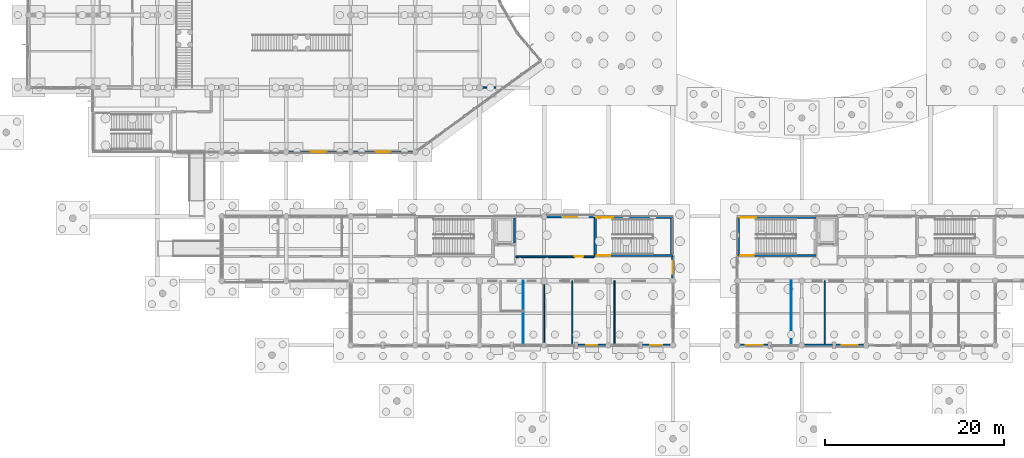
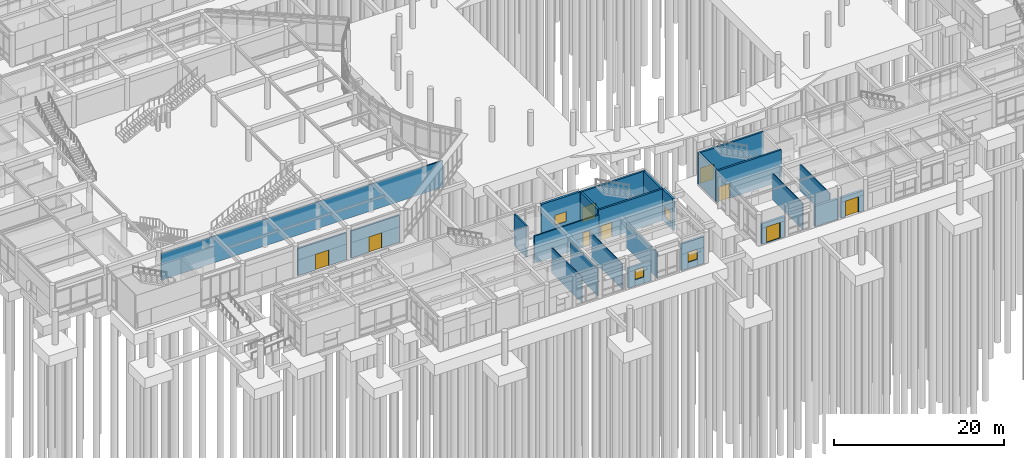
# One storey, part 54 of 103: 25 walls, 9 doors, 4 windows, 13 openings.
"""IFC4 building model written with IfcOpenShell, lengths in metres."""

from ifc_helpers import new_model, si_unit, direction, frame, frame_2d, origin, place, context, subcontext, project, spatial, rectangle, extrude, material, layer, layer_set, type_object, element, fill, save


model = new_model("IFC4")

# Units and contexts
model_context = context("Model", 3, precision=1e-05, world=origin(), true_north=direction((0.0, 1.0)))
body_context = subcontext(model_context, "Body", "Model", "MODEL_VIEW")
ifc_project = project(units=[si_unit("LENGTHUNIT", "METRE"), si_unit("AREAUNIT", "SQUARE_METRE"), si_unit("VOLUMEUNIT", "CUBIC_METRE"), si_unit("PLANEANGLEUNIT", "RADIAN"), si_unit("MASSUNIT", "GRAM", prefix="KILO")], contexts=[model_context])

# Site, building, storey
site_placement = place(None, origin())
site = spatial("IfcSite", under=ifc_project, at=site_placement, CompositionType="ELEMENT")
building_placement = place(site_placement, origin())
building = spatial("IfcBuilding", under=site, at=building_placement, Name="Namkhue Oval Health Centre", CompositionType="ELEMENT")
storey_placement = place(building_placement, origin())
storey = spatial("IfcBuildingStorey", under=building, at=storey_placement, Name="L00", CompositionType="ELEMENT", Elevation=0.0)

# Wall, opening, door
ifc_material_1 = material(Name="Autoclaved aerated concrete blockwork M7.5", Category="masonry")
ifc_layer_1 = layer(ifc_material_1, 0.18994140625)
ifc_layer_set_1 = layer_set([ifc_layer_1], Name="Autoclaved aerated concrete blockwork M7.5")
wall_type_1 = type_object("IfcWallType", Name="EXTERIOR ENVELOPE WALL 190", PredefinedType="STANDARD", material=ifc_layer_set_1)
wall_1_placement = place(storey_placement, frame((43.52001953125, 36.0, 0.0), z_axis=(0.0, 0.0, 1.0), x_axis=(1.0, 0.0, 0.0)))
wall_1 = element("IfcWall", 1, at=wall_1_placement, inside=storey, type_object=wall_type_1, Name="Volume V1 L00 Exterior Envelope Wall 2", PredefinedType="STANDARD", context=body_context, shape_type="SweptSolid", body=[
    extrude(rectangle(XDim=6.56005859375, YDim=0.18994140625, at=frame_2d((3.280029296875, 0.0))), origin(), (0.0, 0.0, 1.0), 3.9150390625),
])
opening_1_placement = place(wall_1_placement, frame((2.3798828125, 0.0, 0.0)))
opening_1 = element("IfcOpeningElement", 2, at=opening_1_placement, cuts=wall_1, Name="Opening ED-02", PredefinedType="OPENING", context=body_context, shape_type="SweptSolid", body=[
    extrude(rectangle(XDim=1.800048828125, YDim=2.25, at=frame_2d((0.89990234375, 1.125))), frame((0.0, 0.10498046875, 0.0), z_axis=(0.0, -1.0, 0.0), x_axis=(1.0, 0.0, 0.0)), (0.0, 0.0, 1.0), 0.2099609375),
])
ifc_material_2 = material(Name="Anodised aluminium glazed entrance door", Category="aluminium")
door_type_1 = type_object("IfcDoorType", Name="ENTRANCE DOOR 1800X2250", OperationType="DOUBLE_DOOR_SINGLE_SWING", PredefinedType="DOOR", material=ifc_material_2)
door_1_placement = place(opening_1_placement, frame((1.800048828125, 0.0, 0.0), z_axis=(0.0, 0.0, 1.0), x_axis=(-1.0, 0.0, 0.0)))
door_1 = element("IfcDoor", 3, at=door_1_placement, inside=storey, type_object=door_type_1, Name="Volume V1 Main Pedestrian Entrance Exit Door 2", OperationType="DOUBLE_DOOR_SINGLE_SWING", OverallHeight=2.25, OverallWidth=1.800048828125, PredefinedType="DOOR", context=body_context, shape_type="SweptSolid", body=[
    extrude(rectangle(XDim=1.800048828125, YDim=2.25, at=frame_2d((0.89990234375, 1.125))), frame((0.0, 0.02490234375, 0.0), z_axis=(0.0, -1.0, 0.0), x_axis=(1.0, 0.0, 0.0)), (0.0, 0.0, 1.0), 0.050048828125),
])
fill(opening_1, door_1)

ifc_layer_2 = layer(ifc_material_1, 0.199951171875)
ifc_layer_set_2 = layer_set([ifc_layer_2], Name="Autoclaved aerated concrete blockwork M7.5")
wall_type_2 = type_object("IfcWallType", Name="EXTERIOR ENVELOPE WALL 200", PredefinedType="STANDARD", material=ifc_layer_set_2)
wall_2_placement = place(storey_placement, frame((50.719970703125, 36.0, 0.0), z_axis=(0.0, 0.0, 1.0), x_axis=(1.0, 0.0, 0.0)))
wall_2 = element("IfcWall", 4, at=wall_2_placement, inside=storey, type_object=wall_type_2, Name="Volume V1 L00 Exterior Envelope Wall 3", PredefinedType="STANDARD", context=body_context, shape_type="SweptSolid", body=[
    extrude(rectangle(XDim=6.56005859375, YDim=0.199951171875, at=frame_2d((3.280029296875, 0.0))), origin(), (0.0, 0.0, 1.0), 3.9150390625),
])
opening_2_placement = place(wall_2_placement, frame((2.405029296875, 0.0, 0.0)))
opening_2 = element("IfcOpeningElement", 5, at=opening_2_placement, cuts=wall_2, Name="Opening ED-03", PredefinedType="OPENING", context=body_context, shape_type="SweptSolid", body=[
    extrude(rectangle(XDim=1.75, YDim=2.219970703125, at=frame_2d((0.875, 1.10986328125))), frame((0.0, 0.10986328125, 0.0), z_axis=(0.0, -1.0, 0.0), x_axis=(1.0, 0.0, 0.0)), (0.0, 0.0, 1.0), 0.219970703125),
])
door_type_2 = type_object("IfcDoorType", Name="ENTRANCE DOOR 1750X2220", OperationType="DOUBLE_DOOR_SINGLE_SWING", PredefinedType="DOOR", material=ifc_material_2)
door_2_placement = place(opening_2_placement, frame((1.75, 0.0, 0.0), z_axis=(0.0, 0.0, 1.0), x_axis=(-1.0, 0.0, 0.0)))
door_2 = element("IfcDoor", 6, at=door_2_placement, inside=storey, type_object=door_type_2, Name="Volume V1 Main Pedestrian Entrance Exit Door 3", OperationType="DOUBLE_DOOR_SINGLE_SWING", OverallHeight=2.219970703125, OverallWidth=1.75, PredefinedType="DOOR", context=body_context, shape_type="SweptSolid", body=[
    extrude(rectangle(XDim=1.75, YDim=2.219970703125, at=frame_2d((0.875, 1.10986328125))), frame((0.0, 0.02490234375, 0.0), z_axis=(0.0, -1.0, 0.0), x_axis=(1.0, 0.0, 0.0)), (0.0, 0.0, 1.0), 0.050048828125),
])
fill(opening_2, door_2)

# Wall, opening, window
ifc_layer_3 = layer(ifc_material_1, 0.27001953125)
ifc_layer_set_3 = layer_set([ifc_layer_3], Name="Autoclaved aerated concrete blockwork M7.5")
wall_type_3 = type_object("IfcWallType", Name="EXTERIOR ENVELOPE WALL 270", PredefinedType="STANDARD", material=ifc_layer_set_3)
wall_3_placement = place(storey_placement, frame((75.7958984375, 14.39990234375, 0.0), z_axis=(0.0, 0.0, 1.0), x_axis=(1.0, 0.0, 0.0)))
wall_3 = element("IfcWall", 7, at=wall_3_placement, inside=storey, type_object=wall_type_3, Name="Volume V4 L00 Exterior Envelope Wall 90", PredefinedType="STANDARD", context=body_context, shape_type="SweptSolid", body=[
    extrude(rectangle(XDim=3.083984375, YDim=0.27001953125, at=frame_2d((1.5419921875, 0.0))), origin(), (0.0, 0.0, 1.0), 2.89990234375),
])
opening_3_placement = place(wall_3_placement, frame((0.94189453125, 0.0, 0.89990234375)))
opening_3 = element("IfcOpeningElement", 8, at=opening_3_placement, cuts=wall_3, Name="Opening WN-12", PredefinedType="OPENING", context=body_context, shape_type="SweptSolid", body=[
    extrude(rectangle(XDim=1.199951171875, YDim=1.419921875, at=frame_2d((0.60009765625, 0.7099609375))), frame((0.0, 0.14501953125, 0.0), z_axis=(0.0, -1.0, 0.0), x_axis=(1.0, 0.0, 0.0)), (0.0, 0.0, 1.0), 0.2900390625),
])
ifc_material_3 = material(Name="Thermally broken low-E laminated double glazing", Category="glass")
window_type_1 = type_object("IfcWindowType", Name="EXTERIOR WINDOW 1200X1420", PartitioningType="SINGLE_PANEL", PredefinedType="WINDOW", material=ifc_material_3)
window_1_placement = place(opening_3_placement, origin())
window_1 = element("IfcWindow", 9, at=window_1_placement, inside=storey, type_object=window_type_1, Name="Volume V4 L00 Exterior Window 57", OverallHeight=1.419921875, OverallWidth=1.199951171875, PartitioningType="SINGLE_PANEL", PredefinedType="WINDOW", context=body_context, shape_type="SweptSolid", body=[
    extrude(rectangle(XDim=1.199951171875, YDim=1.419921875, at=frame_2d((0.60009765625, 0.7099609375))), frame((0.0, 0.030029296875, 0.0), z_axis=(0.0, -1.0, 0.0), x_axis=(1.0, 0.0, 0.0)), (0.0, 0.0, 1.0), 0.06005859375),
])
fill(opening_3, window_1)

ifc_layer_4 = layer(ifc_material_1, 0.280029296875)
ifc_layer_set_4 = layer_set([ifc_layer_4], Name="Autoclaved aerated concrete blockwork M7.5")
wall_type_4 = type_object("IfcWallType", Name="EXTERIOR ENVELOPE WALL 280", PredefinedType="STANDARD", material=ifc_layer_set_4)
wall_4_placement = place(storey_placement, frame((82.99609375, 14.39990234375, 0.0), z_axis=(0.0, 0.0, 1.0), x_axis=(1.0, 0.0, 0.0)))
wall_4 = element("IfcWall", 10, at=wall_4_placement, inside=storey, type_object=wall_type_4, Name="Volume V4 L00 Exterior Envelope Wall 91", PredefinedType="STANDARD", context=body_context, shape_type="SweptSolid", body=[
    extrude(rectangle(XDim=3.083984375, YDim=0.280029296875, at=frame_2d((1.5419921875, 0.0))), origin(), (0.0, 0.0, 1.0), 3.860107421875),
])
opening_4_placement = place(wall_4_placement, frame((0.89208984375, 0.0, 0.89990234375)))
opening_4 = element("IfcOpeningElement", 11, at=opening_4_placement, cuts=wall_4, Name="Opening WN-13", PredefinedType="OPENING", context=body_context, shape_type="SweptSolid", body=[
    extrude(rectangle(XDim=1.300048828125, YDim=1.419921875, at=frame_2d((0.64990234375, 0.7099609375))), frame((0.0, 0.14990234375, 0.0), z_axis=(0.0, -1.0, 0.0), x_axis=(1.0, 0.0, 0.0)), (0.0, 0.0, 1.0), 0.300048828125),
])
window_type_2 = type_object("IfcWindowType", Name="EXTERIOR WINDOW 1300X1420", PartitioningType="SINGLE_PANEL", PredefinedType="WINDOW", material=ifc_material_3)
window_2_placement = place(opening_4_placement, origin())
window_2 = element("IfcWindow", 12, at=window_2_placement, inside=storey, type_object=window_type_2, Name="Volume V4 L00 Exterior Window 58", OverallHeight=1.419921875, OverallWidth=1.300048828125, PartitioningType="SINGLE_PANEL", PredefinedType="WINDOW", context=body_context, shape_type="SweptSolid", body=[
    extrude(rectangle(XDim=1.300048828125, YDim=1.419921875, at=frame_2d((0.64990234375, 0.7099609375))), frame((0.0, 0.030029296875, 0.0), z_axis=(0.0, -1.0, 0.0), x_axis=(1.0, 0.0, 0.0)), (0.0, 0.0, 1.0), 0.06005859375),
])
fill(opening_4, window_2)

ifc_layer_5 = layer(ifc_material_1, 0.2900390625)
ifc_layer_set_5 = layer_set([ifc_layer_5], Name="Autoclaved aerated concrete blockwork M7.5")
wall_type_5 = type_object("IfcWallType", Name="EXTERIOR ENVELOPE WALL 290", PredefinedType="STANDARD", material=ifc_layer_set_5)
wall_5_placement = place(storey_placement, frame((86.39990234375, 21.919921875, 0.0), z_axis=(0.0, 0.0, 1.0), x_axis=(0.0, 1.0, 0.0)))
wall_5 = element("IfcWall", 13, at=wall_5_placement, inside=storey, type_object=wall_type_5, Name="Volume V4 L00 Exterior Envelope Wall 92", PredefinedType="STANDARD", context=body_context, shape_type="SweptSolid", body=[
    extrude(rectangle(XDim=2.378173828125, YDim=0.2900390625, at=frame_2d((1.18896484375, 0.0))), origin(), (0.0, 0.0, 1.0), 4.510009765625),
])
opening_5_placement = place(wall_5_placement, frame((0.489013671875, 0.0, 0.89990234375)))
opening_5 = element("IfcOpeningElement", 14, at=opening_5_placement, cuts=wall_5, Name="Opening WN-14", PredefinedType="OPENING", context=body_context, shape_type="SweptSolid", body=[
    extrude(rectangle(XDim=1.39990234375, YDim=1.419921875, at=frame_2d((0.699951171875, 0.7099609375))), frame((0.0, 0.155029296875, 0.0), z_axis=(0.0, -1.0, 0.0), x_axis=(1.0, 0.0, 0.0)), (0.0, 0.0, 1.0), 0.31005859375),
])
window_type_3 = type_object("IfcWindowType", Name="EXTERIOR WINDOW 1400X1420", PartitioningType="SINGLE_PANEL", PredefinedType="WINDOW", material=ifc_material_3)
window_3_placement = place(opening_5_placement, origin())
window_3 = element("IfcWindow", 15, at=window_3_placement, inside=storey, type_object=window_type_3, Name="Volume V4 L00 Exterior Window 59", OverallHeight=1.419921875, OverallWidth=1.39990234375, PartitioningType="SINGLE_PANEL", PredefinedType="WINDOW", context=body_context, shape_type="SweptSolid", body=[
    extrude(rectangle(XDim=1.39990234375, YDim=1.419921875, at=frame_2d((0.699951171875, 0.7099609375))), frame((0.0, 0.030029296875, 0.0), z_axis=(0.0, -1.0, 0.0), x_axis=(1.0, 0.0, 0.0)), (0.0, 0.0, 1.0), 0.06005859375),
])
fill(opening_5, window_3)

ifc_layer_6 = layer(ifc_material_1, 0.300048828125)
ifc_layer_set_6 = layer_set([ifc_layer_6], Name="Autoclaved aerated concrete blockwork M7.5")
wall_type_6 = type_object("IfcWallType", Name="EXTERIOR ENVELOPE WALL 300", PredefinedType="STANDARD", material=ifc_layer_set_6)
wall_6_placement = place(storey_placement, frame((77.597900390625, 28.800048828125, 0.0), z_axis=(0.0, 0.0, 1.0), x_axis=(-1.0, 0.0, 0.0)))
wall_6 = element("IfcWall", 16, at=wall_6_placement, inside=storey, type_object=wall_type_6, Name="Volume V4 L00 Exterior Envelope Wall 93", PredefinedType="STANDARD", context=body_context, shape_type="SweptSolid", body=[
    extrude(rectangle(XDim=5.27783203125, YDim=0.300048828125, at=frame_2d((2.638916015625, 0.0))), origin(), (0.0, 0.0, 1.0), 4.510009765625),
])
opening_6_placement = place(wall_6_placement, frame((1.888916015625, 0.0, 0.89990234375)))
opening_6 = element("IfcOpeningElement", 17, at=opening_6_placement, cuts=wall_6, Name="Opening WN-15", PredefinedType="OPENING", context=body_context, shape_type="SweptSolid", body=[
    extrude(rectangle(XDim=1.5, YDim=1.419921875, at=frame_2d((0.75, 0.7099609375))), frame((0.0, 0.159912109375, 0.0), z_axis=(0.0, -1.0, 0.0), x_axis=(1.0, 0.0, 0.0)), (0.0, 0.0, 1.0), 0.320068359375),
])
window_type_4 = type_object("IfcWindowType", Name="EXTERIOR WINDOW 1500X1420", PartitioningType="SINGLE_PANEL", PredefinedType="WINDOW", material=ifc_material_3)
window_4_placement = place(opening_6_placement, origin())
window_4 = element("IfcWindow", 18, at=window_4_placement, inside=storey, type_object=window_type_4, Name="Volume V4 L00 Exterior Window 60", OverallHeight=1.419921875, OverallWidth=1.5, PartitioningType="SINGLE_PANEL", PredefinedType="WINDOW", context=body_context, shape_type="SweptSolid", body=[
    extrude(rectangle(XDim=1.5, YDim=1.419921875, at=frame_2d((0.75, 0.7099609375))), frame((0.0, 0.030029296875, 0.0), z_axis=(0.0, -1.0, 0.0), x_axis=(1.0, 0.0, 0.0)), (0.0, 0.0, 1.0), 0.06005859375),
])
fill(opening_6, window_4)

# Wall, opening, door
ifc_layer_7 = layer(ifc_material_1, 0.31005859375)
ifc_layer_set_7 = layer_set([ifc_layer_7], Name="Autoclaved aerated concrete blockwork M7.5")
wall_type_7 = type_object("IfcWallType", Name="EXTERIOR ENVELOPE WALL 310", PredefinedType="STANDARD", material=ifc_layer_set_7)
wall_7_placement = place(storey_placement, frame((93.919921875, 14.39990234375, 0.0), z_axis=(0.0, 0.0, 1.0), x_axis=(1.0, 0.0, 0.0)))
wall_7 = element("IfcWall", 19, at=wall_7_placement, inside=storey, type_object=wall_type_7, Name="Volume V5 L00 Exterior Envelope Wall 110", PredefinedType="STANDARD", context=body_context, shape_type="SweptSolid", body=[
    extrude(rectangle(XDim=3.083984375, YDim=0.31005859375, at=frame_2d((1.5419921875, 0.0))), origin(), (0.0, 0.0, 1.0), 2.89990234375),
])
opening_7_placement = place(wall_7_placement, frame((0.592041015625, 0.0, 0.0)))
opening_7 = element("IfcOpeningElement", 20, at=opening_7_placement, cuts=wall_7, Name="Opening ED-01", PredefinedType="OPENING", context=body_context, shape_type="SweptSolid", body=[
    extrude(rectangle(XDim=1.89990234375, YDim=2.280029296875, at=frame_2d((0.949951171875, 1.14013671875))), frame((0.0, 0.1650390625, 0.0), z_axis=(0.0, -1.0, 0.0), x_axis=(1.0, 0.0, 0.0)), (0.0, 0.0, 1.0), 0.330078125),
])
door_type_3 = type_object("IfcDoorType", Name="ENTRANCE DOOR 1900X2280", OperationType="DOUBLE_DOOR_SINGLE_SWING", PredefinedType="DOOR", material=ifc_material_2)
door_3_placement = place(opening_7_placement, frame((1.89990234375, 0.0, 0.0), z_axis=(0.0, 0.0, 1.0), x_axis=(-1.0, 0.0, 0.0)))
door_3 = element("IfcDoor", 21, at=door_3_placement, inside=storey, type_object=door_type_3, Name="Volume V5 Main Pedestrian Entrance Exit Door 13", OperationType="DOUBLE_DOOR_SINGLE_SWING", OverallHeight=2.280029296875, OverallWidth=1.89990234375, PredefinedType="DOOR", context=body_context, shape_type="SweptSolid", body=[
    extrude(rectangle(XDim=1.89990234375, YDim=2.280029296875, at=frame_2d((0.949951171875, 1.14013671875))), frame((0.0, 0.02490234375, 0.0), z_axis=(0.0, -1.0, 0.0), x_axis=(1.0, 0.0, 0.0)), (0.0, 0.0, 1.0), 0.050048828125),
])
fill(opening_7, door_3)

# Wall
ifc_layer_8 = layer(ifc_material_1, 0.320068359375)
ifc_layer_set_8 = layer_set([ifc_layer_8], Name="Autoclaved aerated concrete blockwork M7.5")
wall_type_8 = type_object("IfcWallType", Name="EXTERIOR ENVELOPE WALL 320", PredefinedType="STANDARD", material=ifc_layer_set_8)
wall_8_placement = place(storey_placement, frame((101.1201171875, 14.39990234375, 0.0), z_axis=(0.0, 0.0, 1.0), x_axis=(1.0, 0.0, 0.0)))
element("IfcWall", 22, at=wall_8_placement, inside=storey, type_object=wall_type_8, Name="Volume V5 L00 Exterior Envelope Wall 111", PredefinedType="STANDARD", context=body_context, shape_type="SweptSolid", body=[
    extrude(rectangle(XDim=3.083984375, YDim=0.320068359375, at=frame_2d((1.5419921875, 0.0))), origin(), (0.0, 0.0, 1.0), 2.89990234375),
])

# Wall, opening, door
ifc_layer_9 = layer(ifc_material_1, 0.330078125)
ifc_layer_set_9 = layer_set([ifc_layer_9], Name="Autoclaved aerated concrete blockwork M7.5")
wall_type_9 = type_object("IfcWallType", Name="EXTERIOR ENVELOPE WALL 330", PredefinedType="STANDARD", material=ifc_layer_set_9)
wall_9_placement = place(storey_placement, frame((104.595947265625, 14.39990234375, 0.0), z_axis=(0.0, 0.0, 1.0), x_axis=(1.0, 0.0, 0.0)))
wall_9 = element("IfcWall", 23, at=wall_9_placement, inside=storey, type_object=wall_type_9, Name="Volume V5 L00 Exterior Envelope Wall 112", PredefinedType="STANDARD", context=body_context, shape_type="SweptSolid", body=[
    extrude(rectangle(XDim=3.083984375, YDim=0.330078125, at=frame_2d((1.5419921875, 0.0))), origin(), (0.0, 0.0, 1.0), 2.89990234375),
])
opening_8_placement = place(wall_9_placement, frame((0.64208984375, 0.0, 0.0)))
opening_8 = element("IfcOpeningElement", 24, at=opening_8_placement, cuts=wall_9, Name="Opening ED-02", PredefinedType="OPENING", context=body_context, shape_type="SweptSolid", body=[
    extrude(rectangle(XDim=1.800048828125, YDim=2.25, at=frame_2d((0.89990234375, 1.125))), frame((0.0, 0.175048828125, 0.0), z_axis=(0.0, -1.0, 0.0), x_axis=(1.0, 0.0, 0.0)), (0.0, 0.0, 1.0), 0.35009765625),
])
door_4_placement = place(opening_8_placement, frame((1.800048828125, 0.0, 0.0), z_axis=(0.0, 0.0, 1.0), x_axis=(-1.0, 0.0, 0.0)))
door_4 = element("IfcDoor", 25, at=door_4_placement, inside=storey, type_object=door_type_1, Name="Volume V5 Main Pedestrian Entrance Exit Door 14", OperationType="DOUBLE_DOOR_SINGLE_SWING", OverallHeight=2.25, OverallWidth=1.800048828125, PredefinedType="DOOR", context=body_context, shape_type="SweptSolid", body=[
    extrude(rectangle(XDim=1.800048828125, YDim=2.25, at=frame_2d((0.89990234375, 1.125))), frame((0.0, 0.02490234375, 0.0), z_axis=(0.0, -1.0, 0.0), x_axis=(1.0, 0.0, 0.0)), (0.0, 0.0, 1.0), 0.050048828125),
])
fill(opening_8, door_4)

# Wall
ifc_material_4 = material(Name="Gypsum plasterboard acoustic partition", Category="gypsum")
ifc_layer_10 = layer(ifc_material_4, 0.169921875)
ifc_layer_set_10 = layer_set([ifc_layer_10], Name="Gypsum plasterboard acoustic partition")
wall_type_10 = type_object("IfcWallType", Name="FIRE PARTITION WALL 170", PredefinedType="PARTITIONING", material=ifc_layer_set_10)
wall_10_placement = place(storey_placement, frame((29.14990234375, 43.199951171875, 0.0), z_axis=(0.0, 0.0, 1.0), x_axis=(1.0, 0.0, 0.0)))
element("IfcWall", 26, at=wall_10_placement, inside=storey, type_object=wall_type_10, Name="Volume V1 L00 Clinical Partition Wall 15", PredefinedType="PARTITIONING", context=body_context, shape_type="SweptSolid", body=[
    extrude(rectangle(XDim=38.179443359375, YDim=0.169921875, at=frame_2d((19.08984375, 0.0))), origin(), (0.0, 0.0, 1.0), 3.81494140625),
])

# Wall, opening, door
ifc_layer_11 = layer(ifc_material_4, 0.18505859375)
ifc_layer_set_11 = layer_set([ifc_layer_11], Name="Gypsum plasterboard acoustic partition")
wall_type_11 = type_object("IfcWallType", Name="FIRE PARTITION WALL 185", PredefinedType="PARTITIONING", material=ifc_layer_set_11)
wall_11_placement = place(storey_placement, frame((68.820068359375, 24.300048828125, 0.0), z_axis=(0.0, 0.0, 1.0), x_axis=(1.0, 0.0, 0.0)))
wall_11 = element("IfcWall", 27, at=wall_11_placement, inside=storey, type_object=wall_type_11, Name="Volume V4 L00 Clinical Partition Wall 170", PredefinedType="PARTITIONING", context=body_context, shape_type="SweptSolid", body=[
    extrude(rectangle(XDim=8.760009765625, YDim=0.18505859375, at=frame_2d((4.3798828125, 0.0))), origin(), (0.0, 0.0, 1.0), 3.909912109375),
])
opening_9_placement = place(wall_11_placement, frame((6.594970703125, 0.0, 0.0)))
opening_9 = element("IfcOpeningElement", 28, at=opening_9_placement, cuts=wall_11, Name="Opening CD-02", PredefinedType="OPENING", context=body_context, shape_type="SweptSolid", body=[
    extrude(rectangle(XDim=0.93994140625, YDim=2.080078125, at=frame_2d((0.469970703125, 1.0400390625))), frame((0.0, 0.1025390625, 0.0), z_axis=(0.0, -1.0, 0.0), x_axis=(1.0, 0.0, 0.0)), (0.0, 0.0, 1.0), 0.205078125),
])
ifc_material_5 = material(Name="High-pressure laminate timber clinical door", Category="wood")
door_type_4 = type_object("IfcDoorType", Name="CLINICAL DOOR 940X2080", OperationType="NOTDEFINED", PredefinedType="DOOR", material=ifc_material_5)
door_5_placement = place(opening_9_placement, origin())
door_5 = element("IfcDoor", 29, at=door_5_placement, inside=storey, type_object=door_type_4, Name="Volume V4 L00 Rapid Diagnostics Point Care Lab Door 145", OperationType="SINGLE_SWING_RIGHT", OverallHeight=2.080078125, OverallWidth=0.93994140625, PredefinedType="DOOR", context=body_context, shape_type="SweptSolid", body=[
    extrude(rectangle(XDim=0.93994140625, YDim=2.080078125, at=frame_2d((0.469970703125, 1.0400390625))), frame((0.0, 0.02490234375, 0.0), z_axis=(0.0, -1.0, 0.0), x_axis=(1.0, 0.0, 0.0)), (0.0, 0.0, 1.0), 0.050048828125),
])
fill(opening_9, door_5)

# Walls
ifc_layer_12 = layer(ifc_material_4, 0.110107421875)
ifc_layer_set_12 = layer_set([ifc_layer_12], Name="Gypsum plasterboard acoustic partition")
wall_type_12 = type_object("IfcWallType", Name="INTERIOR PARTITION WALL 110", PredefinedType="PARTITIONING", material=ifc_layer_set_12)
wall_12_placement = place(storey_placement, frame((69.679931640625, 14.43994140625, 0.0), z_axis=(0.0, 0.0, 1.0), x_axis=(0.0, 1.0, 0.0)))
element("IfcWall", 30, at=wall_12_placement, inside=storey, type_object=wall_type_12, Name="Volume V4 L00 Clinical Partition Wall 163", PredefinedType="PARTITIONING", context=body_context, shape_type="SweptSolid", body=[
    extrude(rectangle(XDim=7.16015625, YDim=0.110107421875, at=frame_2d((3.580078125, 0.0))), origin(), (0.0, 0.0, 1.0), 3.659912109375),
])
wall_13_placement = place(storey_placement, frame((99.616943359375, 14.43994140625, 0.0), z_axis=(0.0, 0.0, 1.0), x_axis=(0.0, 1.0, 0.0)))
element("IfcWall", 31, at=wall_13_placement, inside=storey, type_object=wall_type_12, Name="Volume V5 L00 Clinical Partition Wall 205", PredefinedType="PARTITIONING", context=body_context, shape_type="SweptSolid", body=[
    extrude(rectangle(XDim=7.16015625, YDim=0.110107421875, at=frame_2d((3.580078125, 0.0))), origin(), (0.0, 0.0, 1.0), 3.794921875),
])
ifc_layer_13 = layer(ifc_material_4, 0.1201171875)
ifc_layer_set_13 = layer_set([ifc_layer_13], Name="Gypsum plasterboard acoustic partition")
wall_type_13 = type_object("IfcWallType", Name="INTERIOR PARTITION WALL 120", PredefinedType="PARTITIONING", material=ifc_layer_set_13)
wall_14_placement = place(storey_placement, frame((72.0, 14.72509765625, 0.0), z_axis=(0.0, 0.0, 1.0), x_axis=(0.0, 1.0, 0.0)))
element("IfcWall", 32, at=wall_14_placement, inside=storey, type_object=wall_type_13, Name="Volume V4 L00 Clinical Partition Wall 164", PredefinedType="PARTITIONING", context=body_context, shape_type="SweptSolid", body=[
    extrude(rectangle(XDim=6.415283203125, YDim=0.1201171875, at=frame_2d((3.20751953125, 0.0))), origin(), (0.0, 0.0, 1.0), 3.909912109375),
])
wall_15_placement = place(storey_placement, frame((103.35498046875, 14.58203125, 0.0), z_axis=(0.0, 0.0, 1.0), x_axis=(0.0, 1.0, 0.0)))
element("IfcWall", 33, at=wall_15_placement, inside=storey, type_object=wall_type_13, Name="Volume V5 L00 Clinical Partition Wall 206", PredefinedType="PARTITIONING", context=body_context, shape_type="SweptSolid", body=[
    extrude(rectangle(XDim=7.01806640625, YDim=0.1201171875, at=frame_2d((3.509033203125, 0.0))), origin(), (0.0, 0.0, 1.0), 3.794921875),
])
ifc_layer_14 = layer(ifc_material_4, 0.1298828125)
ifc_layer_set_14 = layer_set([ifc_layer_14], Name="Gypsum plasterboard acoustic partition")
wall_type_14 = type_object("IfcWallType", Name="INTERIOR PARTITION WALL 130", PredefinedType="PARTITIONING", material=ifc_layer_set_14)
wall_16_placement = place(storey_placement, frame((75.14990234375, 14.43994140625, 0.0), z_axis=(0.0, 0.0, 1.0), x_axis=(0.0, 1.0, 0.0)))
element("IfcWall", 34, at=wall_16_placement, inside=storey, type_object=wall_type_14, Name="Volume V4 L00 Clinical Partition Wall 165", PredefinedType="PARTITIONING", context=body_context, shape_type="SweptSolid", body=[
    extrude(rectangle(XDim=7.16015625, YDim=0.1298828125, at=frame_2d((3.580078125, 0.0))), origin(), (0.0, 0.0, 1.0), 3.659912109375),
])
ifc_layer_15 = layer(ifc_material_4, 0.139892578125)
ifc_layer_set_15 = layer_set([ifc_layer_15], Name="Gypsum plasterboard acoustic partition")
wall_type_15 = type_object("IfcWallType", Name="INTERIOR PARTITION WALL 140", PredefinedType="PARTITIONING", material=ifc_layer_set_15)
wall_17_placement = place(storey_placement, frame((79.8798828125, 14.43994140625, 0.0), z_axis=(0.0, 0.0, 1.0), x_axis=(0.0, 1.0, 0.0)))
element("IfcWall", 35, at=wall_17_placement, inside=storey, type_object=wall_type_15, Name="Volume V4 L00 Clinical Partition Wall 166", PredefinedType="PARTITIONING", context=body_context, shape_type="SweptSolid", body=[
    extrude(rectangle(XDim=7.16015625, YDim=0.139892578125, at=frame_2d((3.580078125, 0.0))), origin(), (0.0, 0.0, 1.0), 3.659912109375),
])
ifc_material_6 = material(Name="Reinforced concrete C35/45 (TCVN B40)", Category="concrete")
ifc_layer_16 = layer(ifc_material_6, 0.25)
ifc_layer_set_16 = layer_set([ifc_layer_16], Name="Reinforced concrete C35/45 (TCVN B40)")
wall_type_16 = type_object("IfcWallType", Name="SHEAR CORE WALL EXT 250", PredefinedType="SHEAR", material=ifc_layer_set_16)
wall_18_placement = place(storey_placement, frame((86.27490234375, 24.550048828125, 0.0), z_axis=(0.0, 0.0, 1.0), x_axis=(0.0, 1.0, 0.0)))
element("IfcWall", 36, at=wall_18_placement, inside=storey, type_object=wall_type_16, Name="Core SC-08 L00 Shear Wall E", PredefinedType="SHEAR", context=body_context, shape_type="SweptSolid", body=[
    extrude(rectangle(XDim=4.0, YDim=0.25, at=frame_2d((2.0, 0.0))), origin(), (0.0, 0.0, 1.0), 4.510009765625),
])

# Wall, opening, door
wall_19_placement = place(storey_placement, frame((86.39990234375, 28.675048828125, 0.0), z_axis=(0.0, 0.0, 1.0), x_axis=(-1.0, 0.0, 0.0)))
wall_19 = element("IfcWall", 37, at=wall_19_placement, inside=storey, type_object=wall_type_16, Name="Core SC-08 L00 Shear Wall N", PredefinedType="SHEAR", context=body_context, shape_type="SweptSolid", body=[
    extrude(rectangle(XDim=8.7998046875, YDim=0.25, at=frame_2d((4.39990234375, 0.0))), origin(), (0.0, 0.0, 1.0), 4.510009765625),
])
opening_10_placement = place(wall_19_placement, frame((6.699951171875, 0.0, 0.0)))
opening_10 = element("IfcOpeningElement", 38, at=opening_10_placement, cuts=wall_19, Name="Opening SD-E1", PredefinedType="OPENING", context=body_context, shape_type="SweptSolid", body=[
    extrude(rectangle(XDim=1.85009765625, YDim=2.199951171875, at=frame_2d((0.925048828125, 1.10009765625))), frame((0.0, 0.135009765625, 0.0), z_axis=(0.0, -1.0, 0.0), x_axis=(1.0, 0.0, 0.0)), (0.0, 0.0, 1.0), 0.27001953125),
])
ifc_material_7 = material(Name="Powder-coated steel fire door assembly", Category="steel")
door_type_5 = type_object("IfcDoorType", Name="ENTRANCE DOOR STAIR EXIT 1850X2200", OperationType="DOUBLE_DOOR_SINGLE_SWING", PredefinedType="DOOR", material=ifc_material_7)
door_6_placement = place(opening_10_placement, frame((1.85009765625, 0.0, 0.0), z_axis=(0.0, 0.0, 1.0), x_axis=(-1.0, 0.0, 0.0)))
door_6 = element("IfcDoor", 39, at=door_6_placement, inside=storey, type_object=door_type_5, Name="Stair ST-08 Ground Final Exit Discharge Door", OperationType="DOUBLE_DOOR_SINGLE_SWING", OverallHeight=2.199951171875, OverallWidth=1.85009765625, PredefinedType="DOOR", context=body_context, shape_type="SweptSolid", body=[
    extrude(rectangle(XDim=1.85009765625, YDim=2.199951171875, at=frame_2d((0.925048828125, 1.10009765625))), frame((0.0, 0.02490234375, 0.0), z_axis=(0.0, -1.0, 0.0), x_axis=(1.0, 0.0, 0.0)), (0.0, 0.0, 1.0), 0.050048828125),
])
fill(opening_10, door_6)

wall_20_placement = place(storey_placement, frame((102.39990234375, 28.675048828125, 0.0), z_axis=(0.0, 0.0, 1.0), x_axis=(-1.0, 0.0, 0.0)))
wall_20 = element("IfcWall", 40, at=wall_20_placement, inside=storey, type_object=wall_type_16, Name="Core SC-09 L00 Shear Wall N", PredefinedType="SHEAR", context=body_context, shape_type="SweptSolid", body=[
    extrude(rectangle(XDim=8.7998046875, YDim=0.25, at=frame_2d((4.39990234375, 0.0))), origin(), (0.0, 0.0, 1.0), 4.4951171875),
])
opening_11_placement = place(wall_20_placement, frame((6.699951171875, 0.0, 0.0)))
opening_11 = element("IfcOpeningElement", 41, at=opening_11_placement, cuts=wall_20, Name="Opening SD-E1", PredefinedType="OPENING", context=body_context, shape_type="SweptSolid", body=[
    extrude(rectangle(XDim=1.85009765625, YDim=2.199951171875, at=frame_2d((0.925048828125, 1.10009765625))), frame((0.0, 0.135009765625, 0.0), z_axis=(0.0, -1.0, 0.0), x_axis=(1.0, 0.0, 0.0)), (0.0, 0.0, 1.0), 0.27001953125),
])
door_7_placement = place(opening_11_placement, frame((1.85009765625, 0.0, 0.0), z_axis=(0.0, 0.0, 1.0), x_axis=(-1.0, 0.0, 0.0)))
door_7 = element("IfcDoor", 42, at=door_7_placement, inside=storey, type_object=door_type_5, Name="Stair ST-09 Ground Final Exit Discharge Door", OperationType="DOUBLE_DOOR_SINGLE_SWING", OverallHeight=2.199951171875, OverallWidth=1.85009765625, PredefinedType="DOOR", context=body_context, shape_type="SweptSolid", body=[
    extrude(rectangle(XDim=1.85009765625, YDim=2.199951171875, at=frame_2d((0.925048828125, 1.10009765625))), frame((0.0, 0.02490234375, 0.0), z_axis=(0.0, -1.0, 0.0), x_axis=(1.0, 0.0, 0.0)), (0.0, 0.0, 1.0), 0.050048828125),
])
fill(opening_11, door_7)

# Walls
wall_21_placement = place(storey_placement, frame((93.72509765625, 28.550048828125, 0.0), z_axis=(0.0, 0.0, 1.0), x_axis=(0.0, -1.0, 0.0)))
element("IfcWall", 43, at=wall_21_placement, inside=storey, type_object=wall_type_16, Name="Core SC-09 L00 Shear Wall W", PredefinedType="SHEAR", context=body_context, shape_type="SweptSolid", body=[
    extrude(rectangle(XDim=4.0, YDim=0.25, at=frame_2d((2.0, 0.0))), origin(), (0.0, 0.0, 1.0), 4.4951171875),
])
ifc_layer_17 = layer(ifc_material_6, 0.199951171875)
ifc_layer_set_17 = layer_set([ifc_layer_17], Name="Reinforced concrete C35/45 (TCVN B40)")
wall_type_17 = type_object("IfcWallType", Name="SHEAR CORE WALL INT 200", PredefinedType="SHEAR", material=ifc_layer_set_17)
wall_22_placement = place(storey_placement, frame((68.699951171875, 25.800048828125, 0.0), z_axis=(0.0, 0.0, 1.0), x_axis=(0.0, 1.0, 0.0)))
element("IfcWall", 44, at=wall_22_placement, inside=storey, type_object=wall_type_17, Name="Lift LF-05 L00 Shaft Wall E", PredefinedType="SHEAR", context=body_context, shape_type="SweptSolid", body=[
    extrude(rectangle(XDim=2.800048828125, YDim=0.199951171875, at=frame_2d((1.39990234375, 0.0))), origin(), (0.0, 0.0, 1.0), 4.510009765625),
])

# Wall, opening, door
ifc_layer_18 = layer(ifc_material_6, 0.25)
ifc_layer_set_18 = layer_set([ifc_layer_18], Name="Reinforced concrete C35/45 (TCVN B40)")
wall_type_18 = type_object("IfcWallType", Name="SHEAR CORE WALL INT 250", PredefinedType="SHEAR", material=ifc_layer_set_18)
wall_23_placement = place(storey_placement, frame((77.60009765625, 24.425048828125, 0.0), z_axis=(0.0, 0.0, 1.0), x_axis=(1.0, 0.0, 0.0)))
wall_23 = element("IfcWall", 45, at=wall_23_placement, inside=storey, type_object=wall_type_18, Name="Core SC-08 L00 Shear Wall S", PredefinedType="SHEAR", context=body_context, shape_type="SweptSolid", body=[
    extrude(rectangle(XDim=8.7998046875, YDim=0.25, at=frame_2d((4.39990234375, 0.0))), origin(), (0.0, 0.0, 1.0), 4.510009765625),
])
opening_12_placement = place(wall_23_placement, frame((0.300048828125, 0.0, 0.0)))
opening_12 = element("IfcOpeningElement", 46, at=opening_12_placement, cuts=wall_23, Name="Opening SD-I1", PredefinedType="OPENING", context=body_context, shape_type="SweptSolid", body=[
    extrude(rectangle(XDim=1.5, YDim=2.14990234375, at=frame_2d((0.75, 1.074951171875))), frame((0.0, 0.135009765625, 0.0), z_axis=(0.0, -1.0, 0.0), x_axis=(1.0, 0.0, 0.0)), (0.0, 0.0, 1.0), 0.27001953125),
])
door_type_6 = type_object("IfcDoorType", Name="CLINICAL DOOR STAIR CORE 1500X2150", OperationType="DOUBLE_DOOR_SINGLE_SWING", PredefinedType="DOOR", material=ifc_material_7)
door_8_placement = place(opening_12_placement, origin())
door_8 = element("IfcDoor", 47, at=door_8_placement, inside=storey, type_object=door_type_6, Name="Stair ST-08 L00 Stair Enclosure Fire Door", OperationType="DOUBLE_DOOR_SINGLE_SWING", OverallHeight=2.14990234375, OverallWidth=1.5, PredefinedType="DOOR", context=body_context, shape_type="SweptSolid", body=[
    extrude(rectangle(XDim=1.5, YDim=2.14990234375, at=frame_2d((0.75, 1.074951171875))), frame((0.0, 0.02490234375, 0.0), z_axis=(0.0, -1.0, 0.0), x_axis=(1.0, 0.0, 0.0)), (0.0, 0.0, 1.0), 0.050048828125),
])
fill(opening_12, door_8)

# Wall
wall_24_placement = place(storey_placement, frame((77.72509765625, 28.550048828125, 0.0), z_axis=(0.0, 0.0, 1.0), x_axis=(0.0, -1.0, 0.0)))
element("IfcWall", 48, at=wall_24_placement, inside=storey, type_object=wall_type_18, Name="Core SC-08 L00 Shear Wall W", PredefinedType="SHEAR", context=body_context, shape_type="SweptSolid", body=[
    extrude(rectangle(XDim=4.0, YDim=0.25, at=frame_2d((2.0, 0.0))), origin(), (0.0, 0.0, 1.0), 4.510009765625),
])

# Wall, opening, door
wall_25_placement = place(storey_placement, frame((93.60009765625, 24.425048828125, 0.0), z_axis=(0.0, 0.0, 1.0), x_axis=(1.0, 0.0, 0.0)))
wall_25 = element("IfcWall", 49, at=wall_25_placement, inside=storey, type_object=wall_type_18, Name="Core SC-09 L00 Shear Wall S", PredefinedType="SHEAR", context=body_context, shape_type="SweptSolid", body=[
    extrude(rectangle(XDim=8.7998046875, YDim=0.25, at=frame_2d((4.39990234375, 0.0))), origin(), (0.0, 0.0, 1.0), 4.4951171875),
])
opening_13_placement = place(wall_25_placement, frame((0.300048828125, 0.0, 0.0)))
opening_13 = element("IfcOpeningElement", 50, at=opening_13_placement, cuts=wall_25, Name="Opening SD-I1", PredefinedType="OPENING", context=body_context, shape_type="SweptSolid", body=[
    extrude(rectangle(XDim=1.5, YDim=2.14990234375, at=frame_2d((0.75, 1.074951171875))), frame((0.0, 0.135009765625, 0.0), z_axis=(0.0, -1.0, 0.0), x_axis=(1.0, 0.0, 0.0)), (0.0, 0.0, 1.0), 0.27001953125),
])
door_9_placement = place(opening_13_placement, origin())
door_9 = element("IfcDoor", 51, at=door_9_placement, inside=storey, type_object=door_type_6, Name="Stair ST-09 L00 Stair Enclosure Fire Door", OperationType="DOUBLE_DOOR_SINGLE_SWING", OverallHeight=2.14990234375, OverallWidth=1.5, PredefinedType="DOOR", context=body_context, shape_type="SweptSolid", body=[
    extrude(rectangle(XDim=1.5, YDim=2.14990234375, at=frame_2d((0.75, 1.074951171875))), frame((0.0, 0.02490234375, 0.0), z_axis=(0.0, -1.0, 0.0), x_axis=(1.0, 0.0, 0.0)), (0.0, 0.0, 1.0), 0.050048828125),
])
fill(opening_13, door_9)

save(model, "model.ifc")
